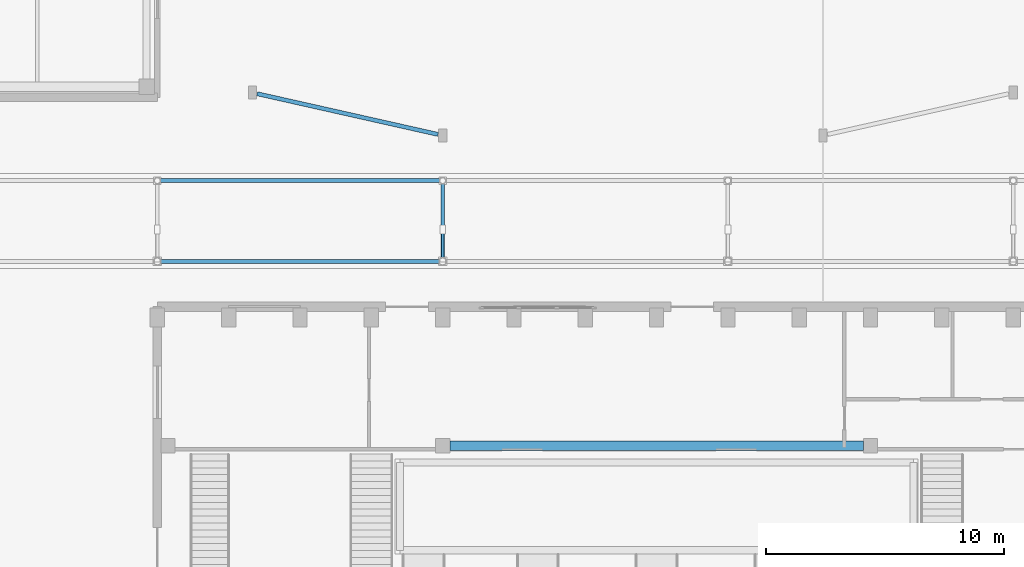
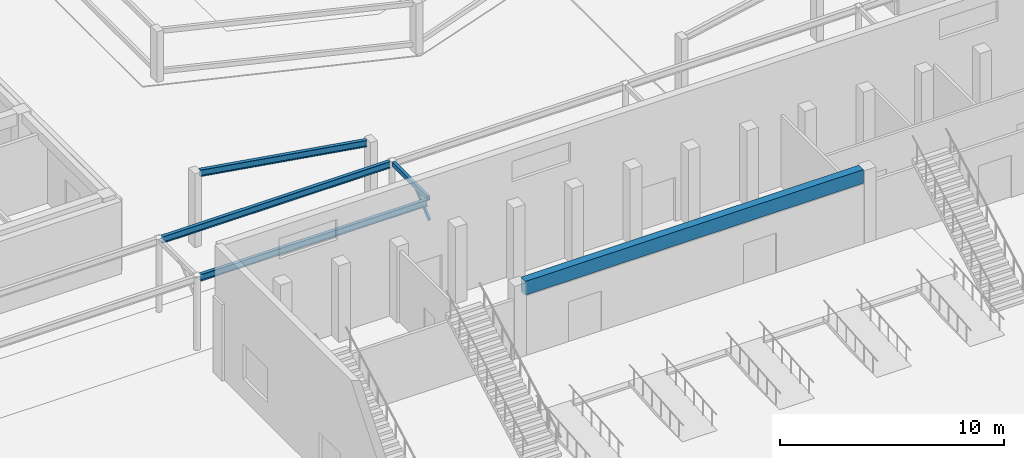
# One storey, part 20 of 114: 5 beams, 1 member.
"""IFC4 building model written with IfcOpenShell, lengths in metres."""

from ifc_helpers import new_model, si_unit, direction, frame, origin, origin_2d, place, context, subcontext, project, spatial, rectangle, hollow_rectangle, i_section, extrude, material, material_profile, profile_set, type_object, element, save


model = new_model("IFC4")

# Units and contexts
model_context = context("Model", 3, precision=1e-05, world=origin(), true_north=direction((0.0, 1.0)))
body_context = subcontext(model_context, "Body", "Model", "MODEL_VIEW")
ifc_project = project(units=[si_unit("LENGTHUNIT", "METRE"), si_unit("AREAUNIT", "SQUARE_METRE"), si_unit("VOLUMEUNIT", "CUBIC_METRE"), si_unit("PLANEANGLEUNIT", "RADIAN"), si_unit("MASSUNIT", "GRAM", prefix="KILO")], contexts=[model_context])

# Site, building, storey
site_placement = place(None, origin())
site = spatial("IfcSite", under=ifc_project, at=site_placement, CompositionType="ELEMENT")
building_placement = place(site_placement, origin())
building = spatial("IfcBuilding", under=site, at=building_placement, Name="Keldmere Railside Commons", CompositionType="ELEMENT")
storey_placement = place(building_placement, origin())
storey = spatial("IfcBuildingStorey", under=building, at=storey_placement, Name="L00", CompositionType="ELEMENT", Elevation=0.0)

# Beams
ifc_material_1 = material(Name="Concrete H-35 (C35/45)", Category="concrete")
ifc_material_profile_1 = material_profile(ifc_material_1, rectangle(XDim=0.39990234375, YDim=0.75, at=origin_2d()), Name="RC-400x750")
ifc_profile_set_1 = profile_set([ifc_material_profile_1], Name="Concrete H-35 (C35/45)")
beam_type_1 = type_object("IfcBeamType", Name="Civic Frame RC Girder 400x750", PredefinedType="BEAM", material=ifc_profile_set_1)
beam_1_placement = place(storey_placement, frame((76.300048828125, 41.35009765625, 3.784912109375), z_axis=(1.0, 0.0, 0.0), x_axis=(0.0, 1.0, 0.0)))
element("IfcBeam", 1, at=beam_1_placement, inside=storey, type_object=beam_type_1, Name="BG-2 BM-L00-0458", PredefinedType="BEAM", context=body_context, shape_type="SweptSolid", body=[
    extrude(rectangle(XDim=0.39990234375, YDim=0.75, at=origin_2d()), origin(), (0.0, 0.0, 1.0), 17.39990234375),
])
ifc_material_2 = material(Name="Steel F-36 (S355)", Category="steel")
ifc_material_profile_2 = material_profile(ifc_material_2, i_section(OverallWidth=0.169921875, OverallDepth=0.360107421875, WebThickness=0.008056640625, FlangeThickness=0.0126953125, at=origin_2d()), Name="IPE-360")
ifc_profile_set_2 = profile_set([ifc_material_profile_2], Name="Steel F-36 (S355)")
beam_type_2 = type_object("IfcBeamType", Name="Colonnade Canopy Girder IPE360", PredefinedType="BEAM", material=ifc_profile_set_2)
beam_2_placement = place(storey_placement, frame((64.159912109375, 49.10009765625, 3.830078125), z_axis=(1.0, 0.0, 0.0), x_axis=(0.0, 1.0, 0.0)))
element("IfcBeam", 2, at=beam_2_placement, inside=storey, type_object=beam_type_2, Name="CNB-1 BM-L00-2678", PredefinedType="BEAM", context=body_context, shape_type="SweptSolid", body=[
    extrude(i_section(OverallWidth=0.169921875, OverallDepth=0.360107421875, WebThickness=0.008056640625, FlangeThickness=0.0126953125, at=origin_2d()), origin(), (0.0, 0.0, 1.0), 11.68017578125),
])
beam_3_placement = place(storey_placement, frame((64.135009765625, 52.5, 3.830078125), z_axis=(1.0, 0.0, 0.0), x_axis=(0.0, 1.0, 0.0)))
element("IfcBeam", 3, at=beam_3_placement, inside=storey, type_object=beam_type_2, Name="CNB-1 BM-L00-2679", PredefinedType="BEAM", context=body_context, shape_type="SweptSolid", body=[
    extrude(i_section(OverallWidth=0.169921875, OverallDepth=0.360107421875, WebThickness=0.008056640625, FlangeThickness=0.0126953125, at=origin_2d()), origin(), (0.0, 0.0, 1.0), 11.72998046875),
])
beam_4_placement = place(storey_placement, frame((68.195068359375, 56.156005859375, 3.830078125), z_axis=(0.975611431841, -0.219504747241, 0.0), x_axis=(0.219504747241, 0.975611431841, 0.0)))
element("IfcBeam", 4, at=beam_4_placement, inside=storey, type_object=beam_type_2, Name="CNB-1 BM-L00-2716", PredefinedType="BEAM", context=body_context, shape_type="SweptSolid", body=[
    extrude(i_section(OverallWidth=0.169921875, OverallDepth=0.360107421875, WebThickness=0.008056640625, FlangeThickness=0.0126953125, at=origin_2d()), origin(), (0.0, 0.0, 1.0), 7.800048828125),
])
ifc_material_profile_3 = material_profile(ifc_material_2, hollow_rectangle(XDim=0.14990234375, YDim=0.25, WallThickness=0.010009765625, at=origin_2d()), Name="RHS-250x150x10")
ifc_profile_set_3 = profile_set([ifc_material_profile_3], Name="Steel F-36 (S355)")
beam_type_3 = type_object("IfcBeamType", Name="Colonnade Transverse Tie RHS250x150", PredefinedType="BEAM", material=ifc_profile_set_3)
beam_5_placement = place(storey_placement, frame((76.0, 49.260009765625, 3.8798828125), z_axis=(0.0, 1.0, 0.0), x_axis=(-1.0, 0.0, 0.0)))
element("IfcBeam", 5, at=beam_5_placement, inside=storey, type_object=beam_type_3, Name="CNB-2 BM-L00-2701", PredefinedType="BEAM", context=body_context, shape_type="SweptSolid", body=[
    extrude(hollow_rectangle(XDim=0.14990234375, YDim=0.25, WallThickness=0.010009765625, at=origin_2d()), origin(), (0.0, 0.0, 1.0), 3.10498046875),
])

# Member
ifc_material_profile_4 = material_profile(ifc_material_2, hollow_rectangle(XDim=0.10009765625, YDim=0.159912109375, WallThickness=0.008056640625, at=origin_2d()), Name="RHS-160x100x8")
ifc_profile_set_4 = profile_set([ifc_material_profile_4], Name="Steel F-36 (S355)")
member_type = type_object("IfcMemberType", Name="Entrance Marquee Strut RHS160x100", PredefinedType="STRUT", material=ifc_profile_set_4)
member_placement = place(storey_placement, frame((76.0, 49.159912109375, 2.75), z_axis=(0.0, 0.757989431665, 0.65226683304), x_axis=(-1.0, 0.0, 0.0)))
element("IfcMember", 6, at=member_placement, inside=storey, type_object=member_type, Name="STR-2 MEM-STR-043", PredefinedType="STRUT", context=body_context, shape_type="SweptSolid", body=[
    extrude(hollow_rectangle(XDim=0.10009765625, YDim=0.159912109375, WallThickness=0.008056640625, at=origin_2d()), origin(), (0.0, 0.0, 1.0), 1.701904296875),
])

save(model, "model.ifc")
